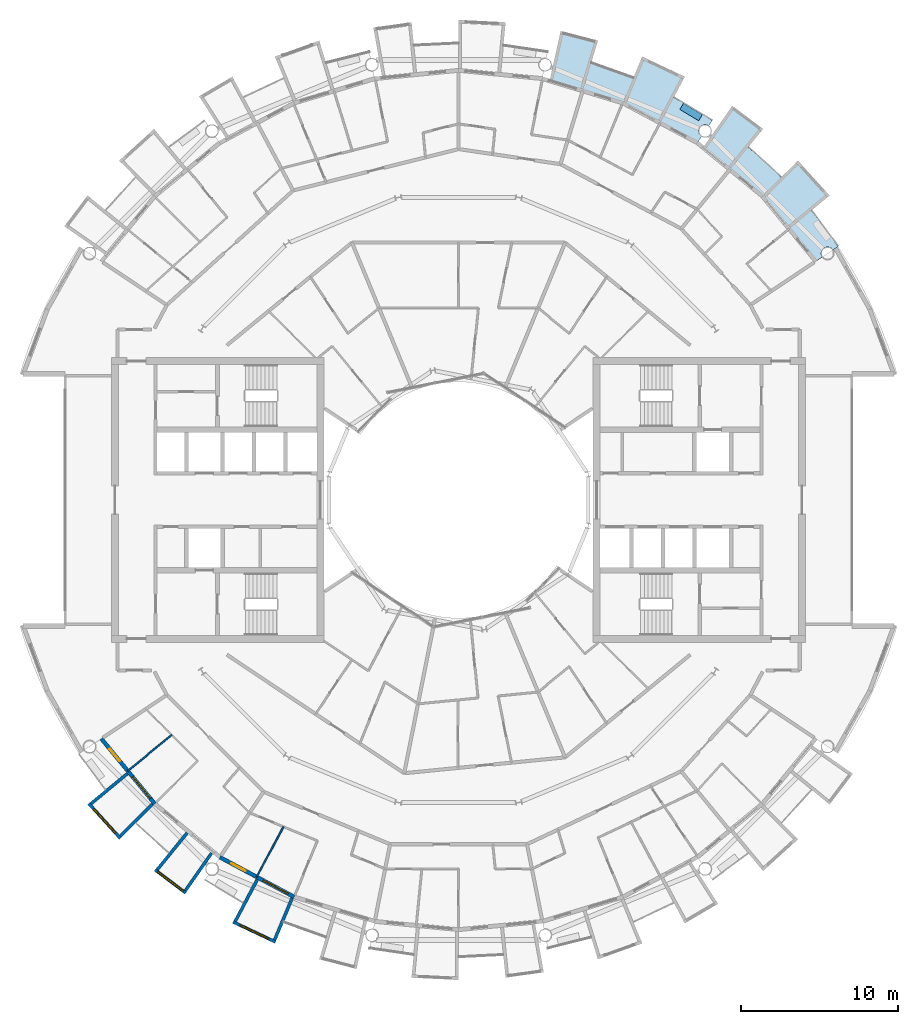
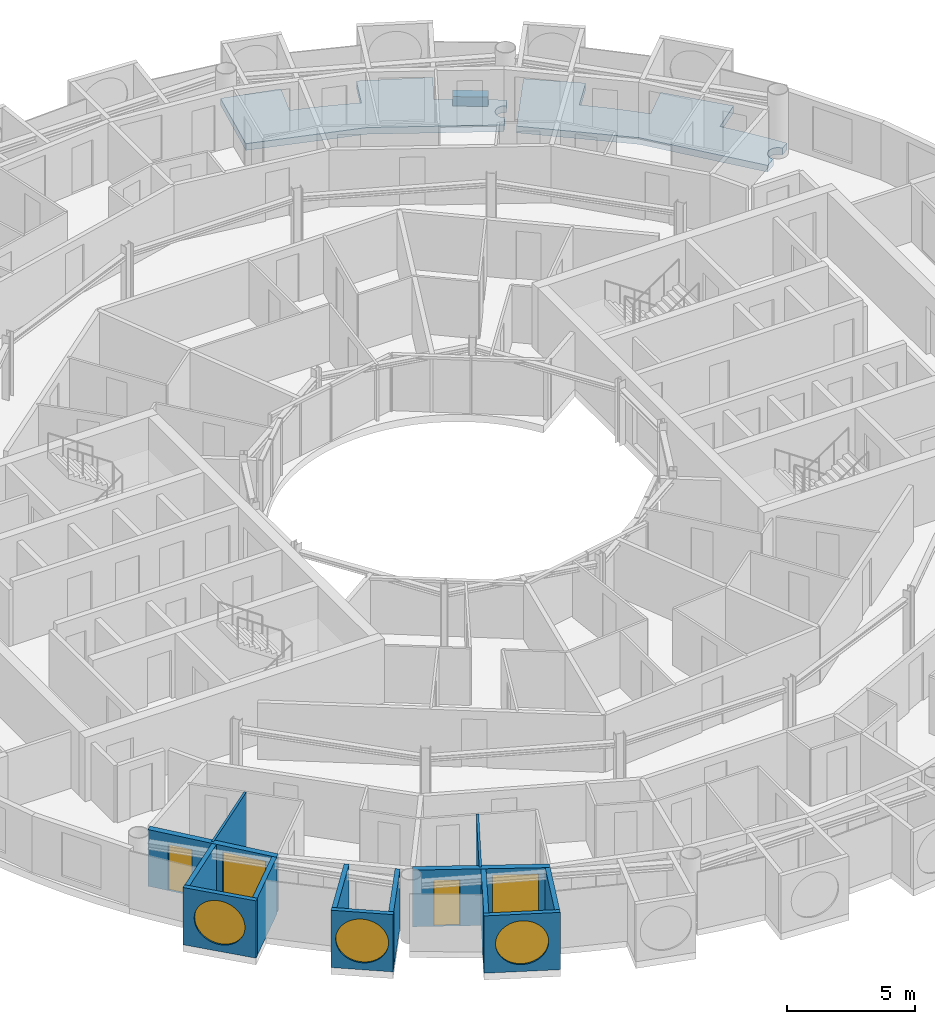
# One storey, part 14 of 29: 13 walls, 5 windows, 3 slabs, 2 doors, 7 openings.
"""IFC4 building model written with IfcOpenShell, lengths in metres."""

from ifc_helpers import new_model, si_unit, direction, frame, frame_2d, origin, place, context, subcontext, project, spatial, polyline, rectangle, circle, outline, extrude, material, layer, layer_set, type_object, element, fill, save


model = new_model("IFC4")

# Units and contexts
model_context = context("Model", 3, precision=1e-05, world=origin(), true_north=direction((0.0, 1.0)))
body_context = subcontext(model_context, "Body", "Model", "MODEL_VIEW")
ifc_project = project(units=[si_unit("LENGTHUNIT", "METRE"), si_unit("AREAUNIT", "SQUARE_METRE"), si_unit("VOLUMEUNIT", "CUBIC_METRE"), si_unit("PLANEANGLEUNIT", "RADIAN"), si_unit("MASSUNIT", "GRAM", prefix="KILO")], contexts=[model_context])

# Site, building, storey
site_placement = place(None, origin())
site = spatial("IfcSite", under=ifc_project, at=site_placement, CompositionType="ELEMENT")
building_placement = place(site_placement, origin())
building = spatial("IfcBuilding", under=site, at=building_placement, Name="Maasbend Ring Residences", CompositionType="ELEMENT")
storey_placement = place(building_placement, frame((0.0, 0.0, 215.75)))
storey = spatial("IfcBuildingStorey", under=building, at=storey_placement, Name="L62", CompositionType="ELEMENT", Elevation=215.75)

# Slabs
ifc_material_1 = material(Name="Planting with climbing greenery")
ifc_layer_1 = layer(ifc_material_1, 0.449951171875)
ifc_layer_set_1 = layer_set([ifc_layer_1], Name="PLANTER-LG")
slab_type_1 = type_object("IfcSlabType", Name="PLANTER-LG", PredefinedType="USERDEFINED", material=ifc_layer_set_1)
slab_1_placement = place(storey_placement, frame((0.0, 0.0, -0.030029296875)))
element("IfcSlab", 1, at=slab_1_placement, inside=storey, type_object=slab_type_1, Name="Planter with climbing greenery 2", ObjectType="PLANTER", PredefinedType="USERDEFINED", context=body_context, shape_type="SweptSolid", body=[
    extrude(outline(polyline([(15.490966796875, 24.48388671875), (14.291015625, 25.2041015625), (14.05908203125, 24.818115234375), (15.260009765625, 24.097900390625), (15.490966796875, 24.48388671875)])), origin(), (0.0, 0.0, 1.0), 0.449951171875),
])
ifc_material_2 = material(Name="Concrete C40/50", Category="concrete")
ifc_layer_2 = layer(ifc_material_2, 0.199951171875)
ifc_layer_set_2 = layer_set([ifc_layer_2], Name="Concrete C40/50")
slab_type_2 = type_object("IfcSlabType", Name="SL-LOGGIA", PredefinedType="FLOOR", material=ifc_layer_set_2)
slab_2_placement = place(storey_placement, frame((0.0, 0.0, -0.35009765625)))
element("IfcSlab", 2, at=slab_2_placement, inside=storey, type_object=slab_type_2, Name="Loggia floor 1", PredefinedType="FLOOR", context=body_context, shape_type="SweptSolid", body=[
    extrude(outline(polyline([(8.85400390625, 29.18701171875), (8.85400390625, 29.18701171875), (8.85400390625, 29.18701171875), (8.41796875, 27.751953125), (8.41796875, 27.751953125), (8.41796875, 27.751953125), (8.41796875, 27.751953125), (8.41796875, 27.751953125), (8.41796875, 27.751953125), (8.41796875, 27.7509765625), (8.41796875, 27.7509765625), (8.41796875, 27.7509765625), (8.41796875, 27.7509765625), (8.41796875, 27.7509765625), (8.4189453125, 27.7509765625), (8.4189453125, 27.7509765625), (8.4189453125, 27.7509765625), (8.4189453125, 27.7509765625), (8.4189453125, 27.7509765625), (8.4189453125, 27.7509765625), (9.322021484375, 27.4609375), (9.322021484375, 27.4609375), (10.215087890625, 27.14111328125), (10.215087890625, 27.14111328125), (11.096923828125, 26.79296875), (11.096923828125, 26.79296875), (11.096923828125, 26.79296875), (11.097900390625, 26.79296875), (11.097900390625, 26.79296875), (11.097900390625, 26.79296875), (11.097900390625, 26.79296875), (11.097900390625, 26.79296875), (11.097900390625, 26.79296875), (11.097900390625, 26.79296875), (11.097900390625, 26.79296875), (11.097900390625, 26.79296875), (11.097900390625, 26.79296875), (11.097900390625, 26.79296875), (11.097900390625, 26.79296875), (11.097900390625, 26.79296875), (11.097900390625, 26.79296875), (11.672119140625, 28.177978515625), (11.672119140625, 28.177978515625), (11.672119140625, 28.177978515625), (14.3779296875, 26.89892578125), (14.3779296875, 26.89892578125), (14.3779296875, 26.89892578125), (13.6708984375, 25.575927734375), (13.6708984375, 25.575927734375), (13.6708984375, 25.575927734375), (13.6708984375, 25.575927734375), (13.6708984375, 25.575927734375), (13.6708984375, 25.575927734375), (13.6708984375, 25.575927734375), (13.6708984375, 25.575927734375), (13.6708984375, 25.575927734375), (13.6708984375, 25.575927734375), (13.6708984375, 25.575927734375), (13.6708984375, 25.575927734375), (13.6708984375, 25.575927734375), (13.6708984375, 25.575927734375), (13.6708984375, 25.575927734375), (13.6708984375, 25.575927734375), (13.6708984375, 25.574951171875), (14.5, 25.114990234375), (14.5, 25.114990234375), (15.31396484375, 24.626953125), (15.31396484375, 24.626953125), (16.112060546875, 24.113037109375), (16.112060546875, 24.113037109375), (16.112060546875, 24.113037109375), (15.89306640625, 23.784912109375), (15.885009765625, 23.791015625), (15.8759765625, 23.7958984375), (15.866943359375, 23.801025390625), (15.85888671875, 23.805908203125), (15.85009765625, 23.81005859375), (15.841064453125, 23.81494140625), (15.83203125, 23.819091796875), (15.822998046875, 23.822998046875), (15.81298828125, 23.826904296875), (15.803955078125, 23.830078125), (15.794921875, 23.8330078125), (15.784912109375, 23.8359375), (15.77587890625, 23.839111328125), (15.76611328125, 23.842041015625), (15.756103515625, 23.843994140625), (15.74609375, 23.845947265625), (15.737060546875, 23.847900390625), (15.72705078125, 23.85009765625), (15.717041015625, 23.85107421875), (15.70703125, 23.85205078125), (15.697021484375, 23.85302734375), (15.68701171875, 23.85302734375), (15.677001953125, 23.85400390625), (15.6669921875, 23.85400390625), (15.656982421875, 23.85400390625), (15.64697265625, 23.85302734375), (15.636962890625, 23.85302734375), (15.626953125, 23.85205078125), (15.616943359375, 23.85107421875), (15.60693359375, 23.85009765625), (15.597900390625, 23.847900390625), (15.587890625, 23.845947265625), (15.577880859375, 23.843994140625), (15.568115234375, 23.842041015625), (15.55908203125, 23.839111328125), (15.549072265625, 23.8359375), (15.5400390625, 23.8330078125), (15.530029296875, 23.830078125), (15.52099609375, 23.826904296875), (15.511962890625, 23.822998046875), (15.501953125, 23.819091796875), (15.492919921875, 23.81494140625), (15.48388671875, 23.81005859375), (15.47509765625, 23.805908203125), (15.467041015625, 23.801025390625), (15.4580078125, 23.7958984375), (15.449951171875, 23.791015625), (15.44091796875, 23.784912109375), (15.43310546875, 23.780029296875), (15.425048828125, 23.77392578125), (15.4169921875, 23.76806640625), (15.408935546875, 23.761962890625), (15.402099609375, 23.7548828125), (15.39404296875, 23.7490234375), (15.386962890625, 23.741943359375), (15.3798828125, 23.735107421875), (15.373046875, 23.72802734375), (15.365966796875, 23.719970703125), (15.35888671875, 23.712890625), (15.35302734375, 23.705078125), (15.346923828125, 23.697021484375), (15.341064453125, 23.68994140625), (15.3349609375, 23.680908203125), (15.3291015625, 23.673095703125), (15.323974609375, 23.6650390625), (15.318115234375, 23.656005859375), (15.31298828125, 23.64794921875), (15.30908203125, 23.638916015625), (15.303955078125, 23.6298828125), (15.300048828125, 23.62109375), (15.294921875, 23.612060546875), (15.2919921875, 23.60302734375), (15.2880859375, 23.593994140625), (15.283935546875, 23.583984375), (15.281005859375, 23.574951171875), (15.278076171875, 23.56494140625), (15.27490234375, 23.555908203125), (15.27294921875, 23.5458984375), (15.27001953125, 23.535888671875), (15.26806640625, 23.527099609375), (15.26708984375, 23.51708984375), (15.264892578125, 23.507080078125), (15.263916015625, 23.4970703125), (15.262939453125, 23.487060546875), (15.261962890625, 23.47705078125), (15.260986328125, 23.467041015625), (15.260986328125, 23.45703125), (15.260986328125, 23.447021484375), (15.260986328125, 23.43701171875), (15.260986328125, 23.427001953125), (15.261962890625, 23.4169921875), (15.262939453125, 23.407958984375), (15.263916015625, 23.39794921875), (15.264892578125, 23.387939453125), (15.26708984375, 23.3779296875), (15.26806640625, 23.367919921875), (15.27001953125, 23.35791015625), (15.27294921875, 23.34912109375), (15.27490234375, 23.339111328125), (15.278076171875, 23.3291015625), (15.281005859375, 23.320068359375), (15.283935546875, 23.31005859375), (15.2880859375, 23.301025390625), (15.2919921875, 23.2919921875), (15.294921875, 23.282958984375), (15.300048828125, 23.27392578125), (15.303955078125, 23.264892578125), (15.30908203125, 23.256103515625), (15.31298828125, 23.2470703125), (15.318115234375, 23.238037109375), (15.323974609375, 23.22998046875), (15.3291015625, 23.221923828125), (15.3349609375, 23.212890625), (15.341064453125, 23.205078125), (15.346923828125, 23.197021484375), (15.35302734375, 23.18994140625), (15.35888671875, 23.181884765625), (15.365966796875, 23.174072265625), (15.373046875, 23.1669921875), (15.3798828125, 23.159912109375), (15.386962890625, 23.153076171875), (15.39404296875, 23.14599609375), (15.402099609375, 23.139892578125), (15.408935546875, 23.133056640625), (15.4169921875, 23.126953125), (15.425048828125, 23.12109375), (15.43310546875, 23.114990234375), (15.44091796875, 23.10888671875), (15.1669921875, 22.698974609375), (15.1669921875, 22.698974609375), (15.1669921875, 22.698974609375), (12.806884765625, 23.9609375), (10.447021484375, 25.221923828125), (10.447021484375, 25.221923828125), (10.447021484375, 25.221923828125), (7.886962890625, 25.9990234375), (5.797119140625, 26.633056640625), (5.797119140625, 26.633056640625), (5.797119140625, 26.633056640625), (6.487060546875, 29.802001953125), (6.487060546875, 29.802001953125), (6.487060546875, 29.802001953125), (8.85400390625, 29.18701171875)])), origin(), (0.0, 0.0, 1.0), 0.320068359375),
])
slab_3_placement = place(storey_placement, frame((0.0, 0.0, -0.35009765625)))
element("IfcSlab", 3, at=slab_3_placement, inside=storey, type_object=slab_type_2, Name="Loggia floor 4", PredefinedType="FLOOR", context=body_context, shape_type="SweptSolid", body=[
    extrude(outline(polyline([(19.34912109375, 23.576904296875), (19.34912109375, 23.576904296875), (19.34912109375, 23.576904296875), (18.39794921875, 22.41796875), (18.39794921875, 22.41796875), (18.39794921875, 22.41796875), (18.39794921875, 22.41796875), (18.39794921875, 22.41796875), (18.39794921875, 22.4169921875), (18.39794921875, 22.4169921875), (18.39794921875, 22.4169921875), (18.39794921875, 22.4169921875), (18.39794921875, 22.4169921875), (18.39794921875, 22.4169921875), (18.39794921875, 22.4169921875), (18.39794921875, 22.4169921875), (18.39794921875, 22.4169921875), (18.39794921875, 22.4169921875), (18.39794921875, 22.4169921875), (18.39794921875, 22.4169921875), (19.12109375, 21.802978515625), (19.12109375, 21.802978515625), (19.823974609375, 21.166015625), (19.823974609375, 21.166015625), (20.506103515625, 20.506103515625), (20.506103515625, 20.506103515625), (20.506103515625, 20.506103515625), (20.506103515625, 20.506103515625), (20.506103515625, 20.506103515625), (20.506103515625, 20.506103515625), (20.506103515625, 20.506103515625), (20.506103515625, 20.506103515625), (20.506103515625, 20.506103515625), (20.506103515625, 20.506103515625), (20.506103515625, 20.506103515625), (20.506103515625, 20.506103515625), (20.506103515625, 20.506103515625), (20.506103515625, 20.506103515625), (20.506103515625, 20.506103515625), (20.506103515625, 20.506103515625), (20.506103515625, 20.506103515625), (21.56689453125, 21.56689453125), (21.56689453125, 21.56689453125), (21.56689453125, 21.56689453125), (23.576904296875, 19.34912109375), (23.576904296875, 19.34912109375), (23.576904296875, 19.34912109375), (22.41796875, 18.39794921875), (22.41796875, 18.39794921875), (22.41796875, 18.39794921875), (22.41796875, 18.39794921875), (22.41796875, 18.39794921875), (22.41796875, 18.39794921875), (22.41796875, 18.39697265625), (22.41796875, 18.39697265625), (22.41796875, 18.39697265625), (22.41796875, 18.39697265625), (22.41796875, 18.39697265625), (22.41796875, 18.39697265625), (22.41796875, 18.39697265625), (22.41796875, 18.39697265625), (22.41796875, 18.39697265625), (22.41796875, 18.39697265625), (22.41796875, 18.39697265625), (23.007080078125, 17.654052734375), (23.007080078125, 17.654052734375), (23.572998046875, 16.89208984375), (23.572998046875, 16.89208984375), (24.113037109375, 16.112060546875), (24.113037109375, 16.112060546875), (24.113037109375, 16.112060546875), (23.784912109375, 15.89306640625), (23.784912109375, 15.89306640625), (23.780029296875, 15.90087890625), (23.77392578125, 15.908935546875), (23.76806640625, 15.9169921875), (23.761962890625, 15.925048828125), (23.7548828125, 15.93310546875), (23.7490234375, 15.93994140625), (23.741943359375, 15.947021484375), (23.735107421875, 15.955078125), (23.72802734375, 15.9619140625), (23.719970703125, 15.968017578125), (23.712890625, 15.97509765625), (23.705078125, 15.98095703125), (23.697021484375, 15.988037109375), (23.68994140625, 15.993896484375), (23.680908203125, 15.9990234375), (23.673095703125, 16.0048828125), (23.6650390625, 16.010986328125), (23.656005859375, 16.01611328125), (23.64794921875, 16.02099609375), (23.638916015625, 16.02587890625), (23.6298828125, 16.030029296875), (23.62109375, 16.034912109375), (23.612060546875, 16.0390625), (23.60302734375, 16.04296875), (23.593994140625, 16.0458984375), (23.583984375, 16.050048828125), (23.574951171875, 16.052978515625), (23.56494140625, 16.055908203125), (23.555908203125, 16.05908203125), (23.5458984375, 16.06103515625), (23.535888671875, 16.06396484375), (23.527099609375, 16.06591796875), (23.51708984375, 16.068115234375), (23.507080078125, 16.069091796875), (23.4970703125, 16.071044921875), (23.487060546875, 16.072021484375), (23.47705078125, 16.072021484375), (23.467041015625, 16.072998046875), (23.45703125, 16.072998046875), (23.447021484375, 16.073974609375), (23.43701171875, 16.072998046875), (23.427001953125, 16.072998046875), (23.4169921875, 16.072021484375), (23.407958984375, 16.072021484375), (23.39794921875, 16.071044921875), (23.387939453125, 16.069091796875), (23.3779296875, 16.068115234375), (23.367919921875, 16.06591796875), (23.35791015625, 16.06396484375), (23.34912109375, 16.06103515625), (23.339111328125, 16.05908203125), (23.3291015625, 16.055908203125), (23.320068359375, 16.052978515625), (23.31005859375, 16.050048828125), (23.301025390625, 16.0458984375), (23.2919921875, 16.04296875), (23.282958984375, 16.0390625), (23.27392578125, 16.034912109375), (23.264892578125, 16.030029296875), (23.256103515625, 16.02587890625), (23.2470703125, 16.02099609375), (23.238037109375, 16.01611328125), (23.22998046875, 16.010986328125), (23.221923828125, 16.0048828125), (23.212890625, 15.9990234375), (23.205078125, 15.993896484375), (23.197021484375, 15.988037109375), (23.18994140625, 15.98095703125), (23.181884765625, 15.97509765625), (23.174072265625, 15.968017578125), (23.1669921875, 15.9619140625), (23.159912109375, 15.955078125), (23.153076171875, 15.947021484375), (23.14599609375, 15.93994140625), (23.139892578125, 15.93310546875), (23.133056640625, 15.925048828125), (23.126953125, 15.9169921875), (23.12109375, 15.908935546875), (23.114990234375, 15.90087890625), (23.10888671875, 15.89306640625), (23.10400390625, 15.885009765625), (23.09912109375, 15.8759765625), (23.093994140625, 15.866943359375), (23.089111328125, 15.85888671875), (23.083984375, 15.85009765625), (23.080078125, 15.841064453125), (23.075927734375, 15.83203125), (23.072021484375, 15.822998046875), (23.068115234375, 15.81298828125), (23.06494140625, 15.803955078125), (23.06103515625, 15.794921875), (23.05810546875, 15.784912109375), (23.055908203125, 15.77587890625), (23.052978515625, 15.76611328125), (23.051025390625, 15.756103515625), (23.049072265625, 15.74609375), (23.047119140625, 15.737060546875), (23.044921875, 15.72705078125), (23.0439453125, 15.717041015625), (23.04296875, 15.70703125), (23.0419921875, 15.697021484375), (23.041015625, 15.68701171875), (23.041015625, 15.677001953125), (23.041015625, 15.6669921875), (23.041015625, 15.656982421875), (23.041015625, 15.64697265625), (23.0419921875, 15.636962890625), (23.04296875, 15.626953125), (23.0439453125, 15.616943359375), (23.044921875, 15.60693359375), (23.047119140625, 15.597900390625), (23.049072265625, 15.587890625), (23.051025390625, 15.577880859375), (23.052978515625, 15.568115234375), (23.055908203125, 15.55908203125), (23.05810546875, 15.549072265625), (23.06103515625, 15.5400390625), (23.06494140625, 15.530029296875), (23.068115234375, 15.52099609375), (23.072021484375, 15.511962890625), (23.075927734375, 15.501953125), (23.080078125, 15.492919921875), (23.083984375, 15.48388671875), (23.089111328125, 15.47509765625), (23.093994140625, 15.467041015625), (23.09912109375, 15.4580078125), (23.10400390625, 15.449951171875), (23.10888671875, 15.44091796875), (23.10888671875, 15.44091796875), (22.698974609375, 15.1669921875), (22.698974609375, 15.1669921875), (22.698974609375, 15.1669921875), (21.001953125, 17.236083984375), (19.303955078125, 19.303955078125), (19.303955078125, 19.303955078125), (19.303955078125, 19.303955078125), (17.236083984375, 21.001953125), (15.547119140625, 22.386962890625), (15.547119140625, 22.386962890625), (15.547119140625, 22.386962890625), (17.39794921875, 25.051025390625), (17.39794921875, 25.051025390625), (17.39794921875, 25.051025390625), (19.34912109375, 23.576904296875)])), origin(), (0.0, 0.0, 1.0), 0.320068359375),
])

# Wall, opening, window
ifc_material_3 = material(Name="Pale anodised aluminium panel", Category="aluminium")
ifc_layer_3 = layer(ifc_material_3, 0.199951171875)
ifc_layer_set_3 = layer_set([ifc_layer_3], Name="EW-BOX")
wall_type_1 = type_object("IfcWallType", Name="EW-BOX", PredefinedType="SOLIDWALL", material=ifc_layer_set_3)
wall_1_placement = place(storey_placement, frame((-23.5029296875, -19.281982421875, -0.030029296875), z_axis=(0.0, 0.0, 1.0), x_axis=(0.671506829416, -0.740998365753, 0.0)))
wall_1 = element("IfcWall", 4, at=wall_1_placement, inside=storey, type_object=wall_type_1, Name="Box front S02", PredefinedType="SOLIDWALL", context=body_context, shape_type="SweptSolid", body=[
    extrude(rectangle(XDim=2.9931640625, YDim=0.199951171875, at=frame_2d((1.49658203125, 0.0))), origin(), (0.0, 0.0, 1.0), 2.72998046875),
])
opening_1_placement = place(wall_1_placement, frame((0.45654296875, 0.0, 0.330078125)))
opening_1 = element("IfcOpeningElement", 5, at=opening_1_placement, cuts=wall_1, Name="Opening W-RD", PredefinedType="OPENING", context=body_context, shape_type="SweptSolid", body=[
    extrude(circle(Radius=1.0400390625, at=frame_2d((1.0400390625, 1.0400390625))), frame((0.0, 0.10986328125, 0.0), z_axis=(0.0, -1.0, 0.0), x_axis=(1.0, 0.0, 0.0)), (0.0, 0.0, 1.0), 0.219970703125),
])
ifc_material_4 = material(Name="Aluminium and clear glass", Category="aluminium")
window_type_1 = type_object("IfcWindowType", Name="W-RD", PartitioningType="SINGLE_PANEL", PredefinedType="WINDOW", material=ifc_material_4)
window_1_placement = place(opening_1_placement, origin())
window_1 = element("IfcWindow", 6, at=window_1_placement, inside=storey, type_object=window_type_1, Name="Round window S02", OverallHeight=2.080078125, OverallWidth=2.080078125, PartitioningType="SINGLE_PANEL", PredefinedType="WINDOW", context=body_context, shape_type="SweptSolid", body=[
    extrude(circle(Radius=1.0400390625, at=frame_2d((1.0400390625, 1.0400390625))), frame((0.0, 0.030029296875, 0.0), z_axis=(0.0, -1.0, 0.0), x_axis=(1.0, 0.0, 0.0)), (0.0, 0.0, 1.0), 0.06005859375),
])
fill(opening_1, window_1)

# Walls
wall_2_placement = place(storey_placement, frame((-21.041015625, -17.384033203125, -0.030029296875), z_axis=(0.0, 0.0, 1.0), x_axis=(-0.770784861449, -0.63709551667, 0.0)))
element("IfcWall", 7, at=wall_2_placement, inside=storey, type_object=wall_type_1, Name="Box side wall S02 left", PredefinedType="SOLIDWALL", context=body_context, shape_type="SweptSolid", body=[
    extrude(rectangle(XDim=3.005859375, YDim=0.199951171875, at=frame_2d((1.5029296875, 0.0))), origin(), (0.0, 0.0, 1.0), 2.72998046875),
])
wall_3_placement = place(storey_placement, frame((-19.449951171875, -19.322998046875, -0.030029296875), z_axis=(0.0, 0.0, 1.0), x_axis=(-0.709727076896, -0.704476739375, 0.0)))
element("IfcWall", 8, at=wall_3_placement, inside=storey, type_object=wall_type_1, Name="Box side wall S02 right", PredefinedType="SOLIDWALL", context=body_context, shape_type="SweptSolid", body=[
    extrude(rectangle(XDim=2.883056640625, YDim=0.199951171875, at=frame_2d((1.44140625, 0.0))), origin(), (0.0, 0.0, 1.0), 2.72998046875),
])

# Wall, opening, window
wall_4_placement = place(storey_placement, frame((-19.2890625, -23.4970703125, -0.030029296875), z_axis=(0.0, 0.0, 1.0), x_axis=(0.797887588059, -0.602806268067, 0.0)))
wall_4 = element("IfcWall", 9, at=wall_4_placement, inside=storey, type_object=wall_type_1, Name="Box front S04", PredefinedType="SOLIDWALL", context=body_context, shape_type="SweptSolid", body=[
    extrude(rectangle(XDim=2.446533203125, YDim=0.199951171875, at=frame_2d((1.22314453125, 0.0))), origin(), (0.0, 0.0, 1.0), 2.72998046875),
])
opening_2_placement = place(wall_4_placement, frame((0.182861328125, 0.0, 0.330078125)))
opening_2 = element("IfcOpeningElement", 10, at=opening_2_placement, cuts=wall_4, Name="Opening W-RD", PredefinedType="OPENING", context=body_context, shape_type="SweptSolid", body=[
    extrude(circle(Radius=1.0400390625, at=frame_2d((1.0400390625, 1.0400390625))), frame((0.0, 0.10986328125, 0.0), z_axis=(0.0, -1.0, 0.0), x_axis=(1.0, 0.0, 0.0)), (0.0, 0.0, 1.0), 0.219970703125),
])
window_2_placement = place(opening_2_placement, origin())
window_2 = element("IfcWindow", 11, at=window_2_placement, inside=storey, type_object=window_type_1, Name="Round window S04", OverallHeight=2.080078125, OverallWidth=2.080078125, PartitioningType="SINGLE_PANEL", PredefinedType="WINDOW", context=body_context, shape_type="SweptSolid", body=[
    extrude(circle(Radius=1.0400390625, at=frame_2d((1.0400390625, 1.0400390625))), frame((0.0, 0.030029296875, 0.0), z_axis=(0.0, -1.0, 0.0), x_axis=(1.0, 0.0, 0.0)), (0.0, 0.0, 1.0), 0.06005859375),
])
fill(opening_2, window_2)

# Walls
wall_5_placement = place(storey_placement, frame((-17.24609375, -21.155029296875, -0.030029296875), z_axis=(0.0, 0.0, 1.0), x_axis=(-0.631741648902, -0.775179004516, 0.0)))
element("IfcWall", 12, at=wall_5_placement, inside=storey, type_object=wall_type_1, Name="Box side wall S04 left", PredefinedType="SOLIDWALL", context=body_context, shape_type="SweptSolid", body=[
    extrude(rectangle(XDim=3.005859375, YDim=0.199951171875, at=frame_2d((1.5029296875, 0.0))), origin(), (0.0, 0.0, 1.0), 2.72998046875),
])
wall_6_placement = place(storey_placement, frame((-15.68798828125, -22.43310546875, -0.030029296875), z_axis=(0.0, 0.0, 1.0), x_axis=(-0.573260687834, -0.819373043115, 0.0)))
element("IfcWall", 13, at=wall_6_placement, inside=storey, type_object=wall_type_1, Name="Box side wall S04 right", PredefinedType="SOLIDWALL", context=body_context, shape_type="SweptSolid", body=[
    extrude(rectangle(XDim=2.92529296875, YDim=0.199951171875, at=frame_2d((1.462646484375, 0.0))), origin(), (0.0, 0.0, 1.0), 2.72998046875),
])

# Wall, opening, window
wall_7_placement = place(storey_placement, frame((-14.3349609375, -26.80810546875, -0.030029296875), z_axis=(0.0, 0.0, 1.0), x_axis=(0.904000060331, -0.427532327342, 0.0)))
wall_7 = element("IfcWall", 14, at=wall_7_placement, inside=storey, type_object=wall_type_1, Name="Box front S06", PredefinedType="SOLIDWALL", context=body_context, shape_type="SweptSolid", body=[
    extrude(rectangle(XDim=2.993408203125, YDim=0.199951171875, at=frame_2d((1.49658203125, 0.0))), origin(), (0.0, 0.0, 1.0), 2.72998046875),
])
opening_3_placement = place(wall_7_placement, frame((0.45654296875, 0.0, 0.330078125)))
opening_3 = element("IfcOpeningElement", 15, at=opening_3_placement, cuts=wall_7, Name="Opening W-RD", PredefinedType="OPENING", context=body_context, shape_type="SweptSolid", body=[
    extrude(circle(Radius=1.0400390625, at=frame_2d((1.0400390625, 1.0400390625))), frame((0.0, 0.10986328125, 0.0), z_axis=(0.0, -1.0, 0.0), x_axis=(1.0, 0.0, 0.0)), (0.0, 0.0, 1.0), 0.219970703125),
])
window_3_placement = place(opening_3_placement, origin())
window_3 = element("IfcWindow", 16, at=window_3_placement, inside=storey, type_object=window_type_1, Name="Round window S06", OverallHeight=2.080078125, OverallWidth=2.080078125, PartitioningType="SINGLE_PANEL", PredefinedType="WINDOW", context=body_context, shape_type="SweptSolid", body=[
    extrude(circle(Radius=1.0400390625, at=frame_2d((1.0400390625, 1.0400390625))), frame((0.0, 0.030029296875, 0.0), z_axis=(0.0, -1.0, 0.0), x_axis=(1.0, 0.0, 0.0)), (0.0, 0.0, 1.0), 0.06005859375),
])
fill(opening_3, window_3)

# Walls
wall_8_placement = place(storey_placement, frame((-12.787109375, -24.113037109375, -0.030029296875), z_axis=(0.0, 0.0, 1.0), x_axis=(-0.468365282436, -0.883534924159, 0.0)))
element("IfcWall", 17, at=wall_8_placement, inside=storey, type_object=wall_type_1, Name="Box side wall S06 left", PredefinedType="SOLIDWALL", context=body_context, shape_type="SweptSolid", body=[
    extrude(rectangle(XDim=3.006103515625, YDim=0.199951171875, at=frame_2d((1.5029296875, 0.0))), origin(), (0.0, 0.0, 1.0), 2.72998046875),
])
wall_9_placement = place(storey_placement, frame((-10.574951171875, -25.294921875, -0.030029296875), z_axis=(0.0, 0.0, 1.0), x_axis=(-0.385697364644, -0.922625353492, 0.0)))
element("IfcWall", 18, at=wall_9_placement, inside=storey, type_object=wall_type_1, Name="Box side wall S06 right", PredefinedType="SOLIDWALL", context=body_context, shape_type="SweptSolid", body=[
    extrude(rectangle(XDim=2.88330078125, YDim=0.199951171875, at=frame_2d((1.441650390625, 0.0))), origin(), (0.0, 0.0, 1.0), 2.72998046875),
])

# Wall, openings, door, window
ifc_material_5 = material(Name="Aluminium clad insulated panel", Category="aluminium")
ifc_layer_4 = layer(ifc_material_5, 0.25)
ifc_layer_set_4 = layer_set([ifc_layer_4], Name="EW-GL")
wall_type_2 = type_object("IfcWallType", Name="EW-GL", PredefinedType="SOLIDWALL", material=ifc_layer_set_4)
wall_10_placement = place(storey_placement, frame((-22.698974609375, -15.1669921875, 0.0), z_axis=(0.0, 0.0, 1.0), x_axis=(0.634382322723, -0.773019449054, 0.0)))
wall_10 = element("IfcWall", 19, at=wall_10_placement, inside=storey, type_object=wall_type_2, Name="External wall S01", PredefinedType="SOLIDWALL", context=body_context, shape_type="SweptSolid", body=[
    extrude(rectangle(XDim=5.351806640625, YDim=0.25, at=frame_2d((2.67578125, 0.0))), origin(), (0.0, 0.0, 1.0), 2.699951171875),
])
opening_4_placement = place(wall_10_placement, frame((0.841064453125, 0.0, 0.0)))
opening_4 = element("IfcOpeningElement", 20, at=opening_4_placement, cuts=wall_10, Name="Opening D-LG", PredefinedType="OPENING", context=body_context, shape_type="SweptSolid", body=[
    extrude(rectangle(XDim=1.0, YDim=2.199951171875, at=frame_2d((0.5, 1.10009765625))), frame((0.0, 0.135009765625, 0.0), z_axis=(0.0, -1.0, 0.0), x_axis=(1.0, 0.0, 0.0)), (0.0, 0.0, 1.0), 0.27001953125),
])
opening_5_placement = place(wall_10_placement, frame((3.110595703125, 0.0, 0.300048828125)))
opening_5 = element("IfcOpeningElement", 21, at=opening_5_placement, cuts=wall_10, Name="Opening W-BX", PredefinedType="OPENING", context=body_context, shape_type="SweptSolid", body=[
    extrude(rectangle(XDim=1.800048828125, YDim=2.10009765625, at=frame_2d((0.89990234375, 1.050048828125))), frame((0.0, 0.135009765625, 0.0), z_axis=(0.0, -1.0, 0.0), x_axis=(1.0, 0.0, 0.0)), (0.0, 0.0, 1.0), 0.27001953125),
])
ifc_material_6 = material(Name="Aluminium and clear glass", Category="aluminium")
door_type = type_object("IfcDoorType", Name="D-LG", OperationType="SINGLE_SWING_LEFT", PredefinedType="DOOR", material=ifc_material_6)
door_1_placement = place(opening_4_placement, origin())
door_1 = element("IfcDoor", 22, at=door_1_placement, inside=storey, type_object=door_type, Name="Loggia door S01", OperationType="SINGLE_SWING_LEFT", OverallHeight=2.199951171875, OverallWidth=1.0, PredefinedType="DOOR", context=body_context, shape_type="SweptSolid", body=[
    extrude(rectangle(XDim=1.0, YDim=2.199951171875, at=frame_2d((0.5, 1.10009765625))), frame((0.0, 0.02490234375, 0.0), z_axis=(0.0, -1.0, 0.0), x_axis=(1.0, 0.0, 0.0)), (0.0, 0.0, 1.0), 0.050048828125),
])
fill(opening_4, door_1)
ifc_material_7 = material(Name="Aluminium and clear glass", Category="aluminium")
window_type_2 = type_object("IfcWindowType", Name="W-BX", PartitioningType="DOUBLE_PANEL_VERTICAL", PredefinedType="WINDOW", material=ifc_material_7)
window_4_placement = place(opening_5_placement, origin())
window_4 = element("IfcWindow", 23, at=window_4_placement, inside=storey, type_object=window_type_2, Name="Window S02 room to box", OverallHeight=2.10009765625, OverallWidth=1.800048828125, PartitioningType="SINGLE_PANEL", PredefinedType="WINDOW", context=body_context, shape_type="SweptSolid", body=[
    extrude(rectangle(XDim=1.800048828125, YDim=2.10009765625, at=frame_2d((0.89990234375, 1.050048828125))), frame((0.0, 0.030029296875, 0.0), z_axis=(0.0, -1.0, 0.0), x_axis=(1.0, 0.0, 0.0)), (0.0, 0.0, 1.0), 0.06005859375),
])
fill(opening_5, window_4)

wall_11_placement = place(storey_placement, frame((-15.1669921875, -22.698974609375, 0.0), z_axis=(0.0, 0.0, 1.0), x_axis=(0.881915646801, -0.471407246368, 0.0)))
wall_11 = element("IfcWall", 24, at=wall_11_placement, inside=storey, type_object=wall_type_2, Name="External wall S03", PredefinedType="SOLIDWALL", context=body_context, shape_type="SweptSolid", body=[
    extrude(rectangle(XDim=5.35205078125, YDim=0.25, at=frame_2d((2.676025390625, 0.0))), origin(), (0.0, 0.0, 1.0), 2.699951171875),
])
opening_6_placement = place(wall_11_placement, frame((0.841064453125, 0.0, 0.0)))
opening_6 = element("IfcOpeningElement", 25, at=opening_6_placement, cuts=wall_11, Name="Opening D-LG", PredefinedType="OPENING", context=body_context, shape_type="SweptSolid", body=[
    extrude(rectangle(XDim=1.0, YDim=2.199951171875, at=frame_2d((0.5, 1.10009765625))), frame((0.0, 0.135009765625, 0.0), z_axis=(0.0, -1.0, 0.0), x_axis=(1.0, 0.0, 0.0)), (0.0, 0.0, 1.0), 0.27001953125),
])
opening_7_placement = place(wall_11_placement, frame((3.110595703125, 0.0, 0.300048828125)))
opening_7 = element("IfcOpeningElement", 26, at=opening_7_placement, cuts=wall_11, Name="Opening W-BX", PredefinedType="OPENING", context=body_context, shape_type="SweptSolid", body=[
    extrude(rectangle(XDim=1.800048828125, YDim=2.10009765625, at=frame_2d((0.89990234375, 1.050048828125))), frame((0.0, 0.135009765625, 0.0), z_axis=(0.0, -1.0, 0.0), x_axis=(1.0, 0.0, 0.0)), (0.0, 0.0, 1.0), 0.27001953125),
])
door_2_placement = place(opening_6_placement, origin())
door_2 = element("IfcDoor", 27, at=door_2_placement, inside=storey, type_object=door_type, Name="Loggia door S05", OperationType="SINGLE_SWING_LEFT", OverallHeight=2.199951171875, OverallWidth=1.0, PredefinedType="DOOR", context=body_context, shape_type="SweptSolid", body=[
    extrude(rectangle(XDim=1.0, YDim=2.199951171875, at=frame_2d((0.5, 1.10009765625))), frame((0.0, 0.02490234375, 0.0), z_axis=(0.0, -1.0, 0.0), x_axis=(1.0, 0.0, 0.0)), (0.0, 0.0, 1.0), 0.050048828125),
])
fill(opening_6, door_2)
window_5_placement = place(opening_7_placement, origin())
window_5 = element("IfcWindow", 28, at=window_5_placement, inside=storey, type_object=window_type_2, Name="Window S06 room to box", OverallHeight=2.10009765625, OverallWidth=1.800048828125, PartitioningType="SINGLE_PANEL", PredefinedType="WINDOW", context=body_context, shape_type="SweptSolid", body=[
    extrude(rectangle(XDim=1.800048828125, YDim=2.10009765625, at=frame_2d((0.89990234375, 1.050048828125))), frame((0.0, 0.030029296875, 0.0), z_axis=(0.0, -1.0, 0.0), x_axis=(1.0, 0.0, 0.0)), (0.0, 0.0, 1.0), 0.06005859375),
])
fill(opening_7, window_5)

# Walls
ifc_material_8 = material(Name="Gypsum board on steel studs", Category="steel")
ifc_layer_5 = layer(ifc_material_8, 0.10009765625)
ifc_layer_set_5 = layer_set([ifc_layer_5], Name="PARTITION 100 GYPSUM")
wall_type_3 = type_object("IfcWallType", Name="PARTITION 100 GYPSUM", PredefinedType="PARTITIONING", material=ifc_layer_set_5)
wall_12_placement = place(storey_placement, frame((-21.02294921875, -17.219970703125, 0.0), z_axis=(0.0, 0.0, 1.0), x_axis=(0.773548271597, 0.633737383709, 0.0)))
element("IfcWall", 29, at=wall_12_placement, inside=storey, type_object=wall_type_3, Name="U-L62-w041", PredefinedType="PARTITIONING", context=body_context, shape_type="SweptSolid", body=[
    extrude(rectangle(XDim=3.6181640625, YDim=0.10009765625, at=frame_2d((1.80908203125, 0.0))), origin(), (0.0, 0.0, 1.0), 2.699951171875),
])
wall_13_placement = place(storey_placement, frame((-12.8330078125, -23.9541015625, 0.0), z_axis=(0.0, 0.0, 1.0), x_axis=(0.472212052488, 0.881484984265, 0.0)))
element("IfcWall", 30, at=wall_13_placement, inside=storey, type_object=wall_type_3, Name="U-L62-w047", PredefinedType="PARTITIONING", context=body_context, shape_type="SweptSolid", body=[
    extrude(rectangle(XDim=3.619140625, YDim=0.10009765625, at=frame_2d((1.8095703125, 0.0))), origin(), (0.0, 0.0, 1.0), 2.699951171875),
])

save(model, "model.ifc")
